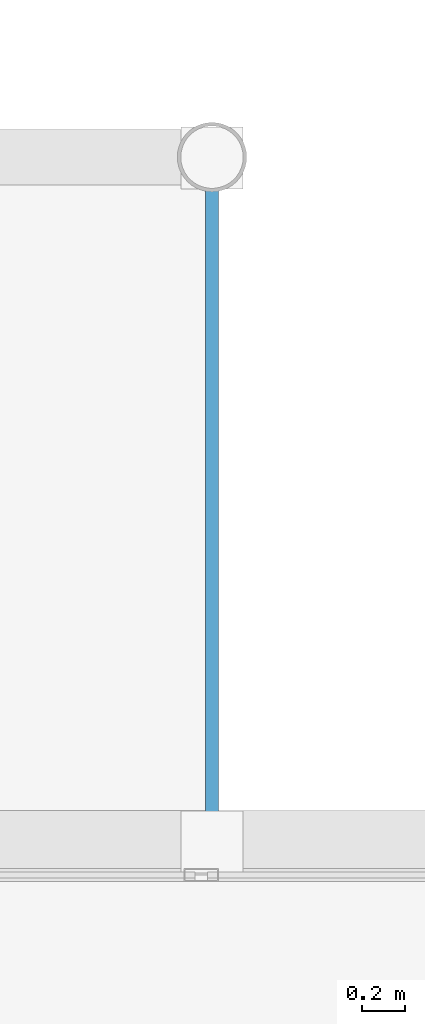
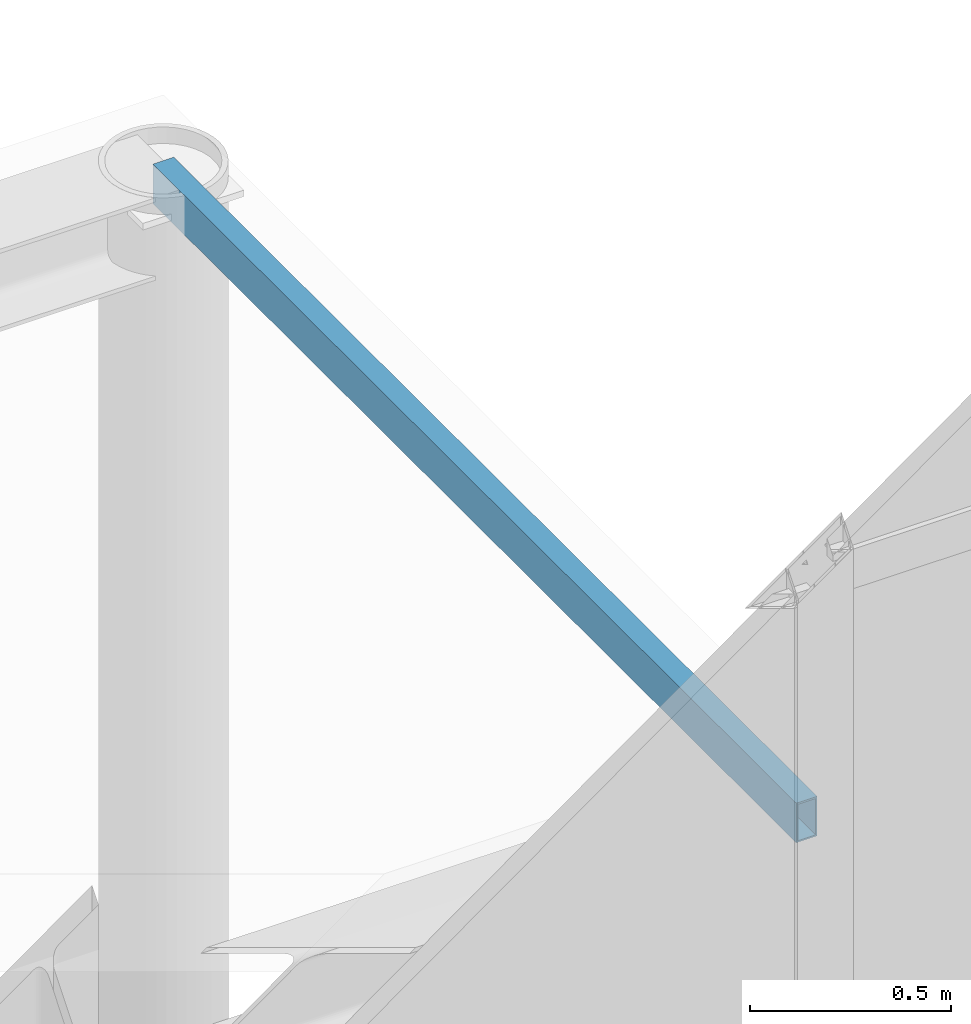
# One storey, part 66 of 131: 1 member.
"""IFC4 building model written with IfcOpenShell, lengths in metres."""

from ifc_helpers import new_model, si_unit, direction, frame, origin, origin_2d, place, context, subcontext, project, spatial, hollow_rectangle, extrude, material, material_profile, profile_set, type_object, element, save


model = new_model("IFC4")

# Units and contexts
model_context = context("Model", 3, precision=1e-05, world=origin(), true_north=direction((0.0, 1.0)))
body_context = subcontext(model_context, "Body", "Model", "MODEL_VIEW")
ifc_project = project(units=[si_unit("LENGTHUNIT", "METRE"), si_unit("AREAUNIT", "SQUARE_METRE"), si_unit("VOLUMEUNIT", "CUBIC_METRE"), si_unit("PLANEANGLEUNIT", "RADIAN"), si_unit("MASSUNIT", "GRAM", prefix="KILO")], contexts=[model_context])

# Site, building, storey
site_placement = place(None, origin())
site = spatial("IfcSite", under=ifc_project, at=site_placement, CompositionType="ELEMENT")
building_placement = place(site_placement, origin())
building = spatial("IfcBuilding", under=site, at=building_placement, Name="Veltarok Museum of Natural Sciences", CompositionType="ELEMENT")
storey_placement = place(building_placement, origin())
storey = spatial("IfcBuildingStorey", under=building, at=storey_placement, Name="L00", CompositionType="ELEMENT", Elevation=0.0)

# Member
ifc_material = material(Name="Steel S355J2", Category="steel")
ifc_material_profile = material_profile(ifc_material, hollow_rectangle(XDim=0.06005859375, YDim=0.1201171875, WallThickness=0.0048828125, at=origin_2d()), Name="RHS 120x60x5")
ifc_profile_set = profile_set([ifc_material_profile], Name="Steel S355J2")
member_type = type_object("IfcMemberType", Name="Canopy Glazing Purlin RHS 120x60x5", PredefinedType="PURLIN", material=ifc_profile_set)
member_placement = place(storey_placement, frame((42.0, 104.0, 4.5400390625), z_axis=(0.0, -1.0, 0.0), x_axis=(1.0, 0.0, 0.0)))
element("IfcMember", 1, at=member_placement, inside=storey, type_object=member_type, Name="Canopy Purlin CAN-N-2", PredefinedType="PURLIN", context=body_context, shape_type="SweptSolid", body=[
    extrude(hollow_rectangle(XDim=0.06005859375, YDim=0.1201171875, WallThickness=0.0048828125, at=origin_2d()), origin(), (0.0, 0.0, 1.0), 3.199951171875),
])

save(model, "model.ifc")
